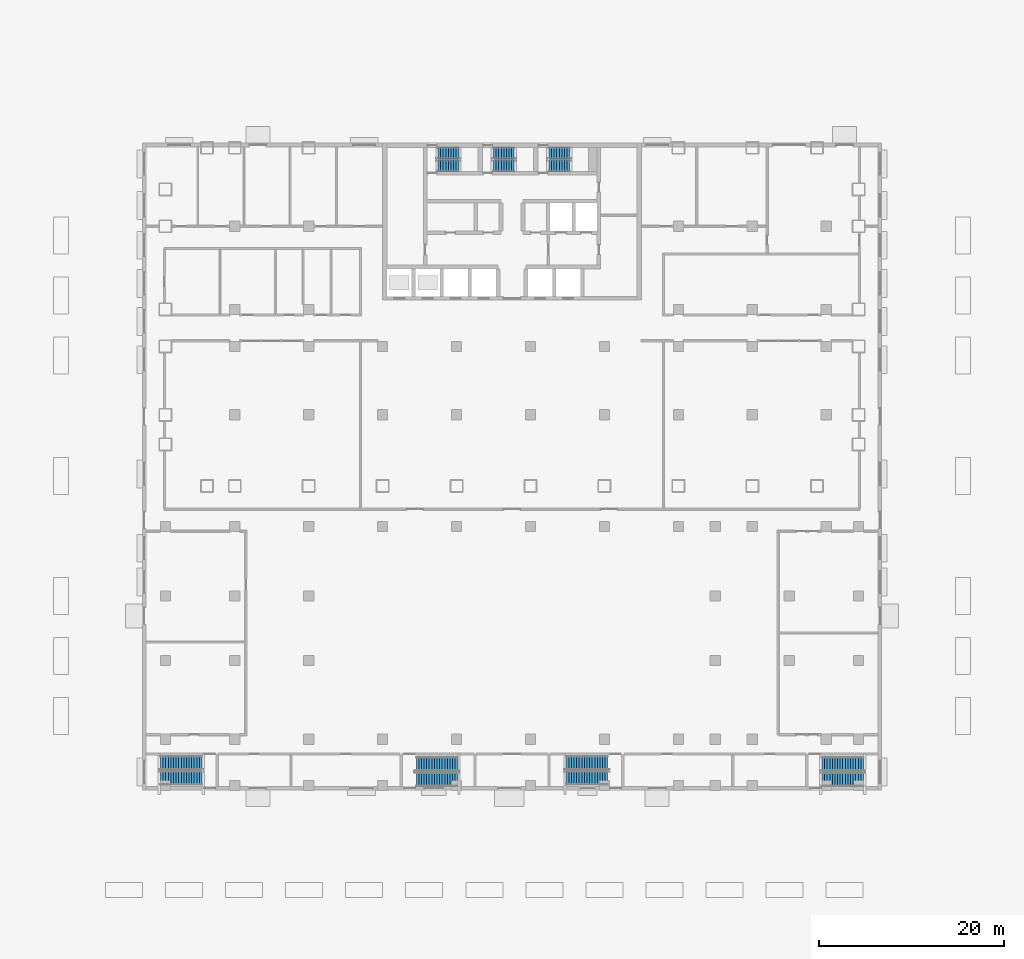
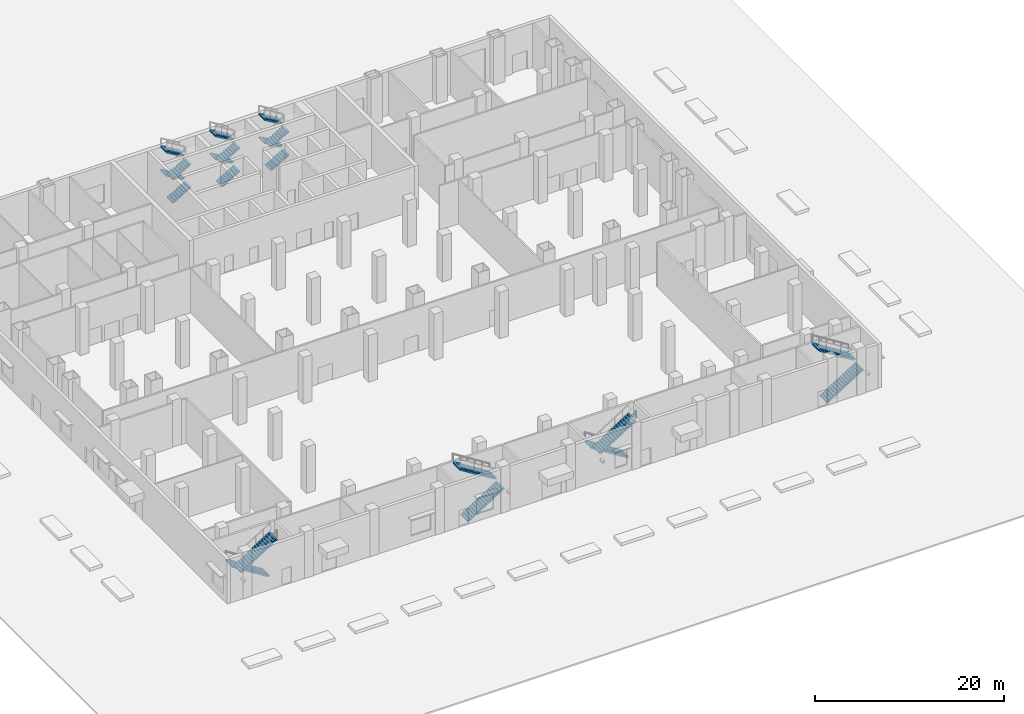
# One storey, part 10 of 18: 20 stair flights, 7 elements without a shape of their own.
"""IFC4 building model written with IfcOpenShell, lengths in metres."""

import ifcopenshell
import ifcopenshell.guid

model = None  # the IFC model being written
_history = None  # IfcOwnerHistory: only IFC2X3 demands one
_inside = {}  # id of a spatial element -> (the spatial element, [elements in it])
_under = {}  # id of a project, library or spatial element -> (it, [spatial elements below it])
_declared = {}  # id of a project -> (the project, [libraries it declares])
_typed = {}  # id of a type object -> (the type object, [elements of that type])
_made_of = {}  # id of a material, layer set ... -> (it, [elements and type objects made of it])


def new_model(schema):
    """Start an empty IFC model of exactly this schema.

    Asked for "IFC4X3", IfcOpenShell would pick the latest addendum, in which some entities
    have other attributes; the version numbers below select the first issue.
    IFC2X3 requires an IfcOwnerHistory on every rooted entity: one is made here for all.
    """
    global model, _history
    if schema == "IFC4X3":
        model = ifcopenshell.file(schema_version=(4, 3, 0, 0))
    else:
        model = ifcopenshell.file(schema=schema)
    _inside.clear()
    _under.clear()
    _declared.clear()
    _typed.clear()
    _made_of.clear()
    _history = None
    if model.schema == "IFC2X3":
        org = make("IfcOrganization", Name="unknown")
        user = make(
            "IfcPersonAndOrganization",
            ThePerson=make("IfcPerson", FamilyName="unknown"),
            TheOrganization=org,
        )
        app = make(
            "IfcApplication",
            ApplicationDeveloper=org,
            Version="unknown",
            ApplicationFullName="unknown",
            ApplicationIdentifier="unknown",
        )
        _history = make(
            "IfcOwnerHistory",
            OwningUser=user,
            OwningApplication=app,
            ChangeAction="ADDED",
            CreationDate=0,
        )
    return model


def make(cls, **values):
    """One entity of the class cls with the attributes given. An attribute that is None is left unset."""
    return model.create_entity(
        cls, **{name: value for name, value in values.items() if value is not None}
    )


def rooted(cls, **values):
    """An entity with a GlobalId (a new one), such as an element, a storey or a relation."""
    return make(cls, GlobalId=ifcopenshell.guid.new(), OwnerHistory=_history, **values)


def si_unit(unit_type, name, prefix=None):
    """IfcSIUnit, for example si_unit("LENGTHUNIT", "METRE", prefix="MILLI")."""
    return make("IfcSIUnit", UnitType=unit_type, Prefix=prefix, Name=name)


def assignment(units):
    """IfcUnitAssignment: the units of a project."""
    return None if units is None else make("IfcUnitAssignment", Units=units)


def point(xyz):
    """IfcCartesianPoint."""
    return None if xyz is None else make("IfcCartesianPoint", Coordinates=xyz)


def direction(xyz):
    """IfcDirection."""
    return None if xyz is None else make("IfcDirection", DirectionRatios=xyz)


def frame(location, z_axis=None, x_axis=None):
    """IfcAxis2Placement3D, a coordinate frame: its origin and axes. An axis left out is left unset."""
    return make(
        "IfcAxis2Placement3D",
        Location=point(location),
        Axis=direction(z_axis),
        RefDirection=direction(x_axis),
    )


def origin():
    """The frame at (0, 0, 0) with its axes left unset."""
    return frame((0.0, 0.0, 0.0))


def place(relative_to, where):
    """IfcLocalPlacement: puts the frame where relative to a parent placement (None: the world)."""
    return make(
        "IfcLocalPlacement", PlacementRelTo=relative_to, RelativePlacement=where
    )


def context(
    kind, dimensions, precision=None, world=None, true_north=None, identifier=None
):
    """IfcGeometricRepresentationContext, for example the 3D "Model" context."""
    return make(
        "IfcGeometricRepresentationContext",
        ContextIdentifier=identifier,
        ContextType=kind,
        CoordinateSpaceDimension=dimensions,
        Precision=precision,
        WorldCoordinateSystem=world,
        TrueNorth=true_north,
    )


def subcontext(parent, identifier, kind, view, scale=None):
    """IfcGeometricRepresentationSubContext, for example "Body" below "Model"."""
    return make(
        "IfcGeometricRepresentationSubContext",
        ContextIdentifier=identifier,
        ContextType=kind,
        ParentContext=parent,
        TargetScale=scale,
        TargetView=view,
    )


def project(units=None, contexts=None):
    """IfcProject with its units and contexts."""
    return rooted(
        "IfcProject",
        Name="project",
        RepresentationContexts=contexts,
        UnitsInContext=assignment(units),
    )


def spatial(cls, under=None, at=None, **own):
    """A site, building, storey or space (cls), placed at a placement, below another one or the project."""
    s = rooted(cls, ObjectPlacement=at, **own)
    if under is not None:
        _under.setdefault(under.id(), (under, []))[1].append(s)
    return s


def polyline(points):
    """IfcPolyline through the points."""
    return make("IfcPolyline", Points=[point(p) for p in points])


def outline(outer, holes=None, kind="AREA"):
    """IfcArbitraryClosedProfileDef: a profile drawn as a closed curve; with holes, ...WithVoids."""
    if holes is None:
        return make("IfcArbitraryClosedProfileDef", ProfileType=kind, OuterCurve=outer)
    return make(
        "IfcArbitraryProfileDefWithVoids",
        ProfileType=kind,
        OuterCurve=outer,
        InnerCurves=holes,
    )


def extrude(swept, where, along, depth):
    """IfcExtrudedAreaSolid: the profile swept, set in the frame where, extruded along a direction by depth."""
    return make(
        "IfcExtrudedAreaSolid",
        SweptArea=swept,
        Position=where,
        ExtrudedDirection=direction(along),
        Depth=depth,
    )


def shape(context_of_items, identifier, shape_type, items):
    """IfcShapeRepresentation: the items that make up one representation, for example the "Body"."""
    return make(
        "IfcShapeRepresentation",
        ContextOfItems=context_of_items,
        RepresentationIdentifier=identifier,
        RepresentationType=shape_type,
        Items=items,
    )


def material(Name=None, Category=None):
    """IfcMaterial."""
    return make("IfcMaterial", Name=Name, Category=Category)


def made_of(thing, what):
    """Note that an element or type object is made of a material, layer set ...; save() writes the relation."""
    if what is not None:
        _made_of.setdefault(what.id(), (what, []))[1].append(thing)
    return thing


def type_object(cls, material=None, **own):
    """A type object (cls), such as IfcWallType, which elements share."""
    return made_of(rooted(cls, **own), material)


def element(
    cls,
    number,
    at=None,
    inside=None,
    cuts=None,
    type_object=None,
    material=None,
    context=None,
    identifier="Body",
    shape_type=None,
    held_by="IfcProductDefinitionShape",
    body=None,
    shapes=None,
    **own,
):
    """One element of the class cls, such as IfcWall. Its Tag is "e" and its number.

    at: its placement. inside: the storey or other place that contains it. cuts: it is an
    opening in that element (IfcRelVoidsElement). A single representation is given by context,
    identifier, shape_type and body (its items); several are given by shapes. held_by: the class
    of the entity that holds the representations. save() writes the other relations.
    """
    e = rooted(cls, Tag="e%d" % number, ObjectPlacement=at, **own)
    if body is not None:
        shapes = [shape(context, identifier, shape_type, body)]
    if shapes is not None:
        e.Representation = make(held_by, Representations=shapes)
    if inside is not None:
        _inside.setdefault(inside.id(), (inside, []))[1].append(e)
    if cuts is not None:
        rooted(
            "IfcRelVoidsElement", RelatingBuildingElement=cuts, RelatedOpeningElement=e
        )
    if type_object is not None:
        _typed.setdefault(type_object.id(), (type_object, []))[1].append(e)
    return made_of(e, material)


def aggregate(whole, parts):
    """IfcRelAggregates: a whole, such as a stair, and the parts it consists of."""
    return rooted("IfcRelAggregates", RelatingObject=whole, RelatedObjects=parts)


def save(model, path):
    """Write the relations noted so far, then the file.

    IfcRelAggregates (storeys below a building ...), IfcRelContainedInSpatialStructure (elements
    in a storey), IfcRelDefinesByType, IfcRelAssociatesMaterial and IfcRelDeclares: one each for
    every whole, place, type object, material and project.
    """
    for whole, parts in _under.values():
        aggregate(whole, parts)
    for where, things in _inside.values():
        rooted(
            "IfcRelContainedInSpatialStructure",
            RelatedElements=things,
            RelatingStructure=where,
        )
    for kind, things in _typed.values():
        rooted("IfcRelDefinesByType", RelatedObjects=things, RelatingType=kind)
    for what, things in _made_of.values():
        rooted("IfcRelAssociatesMaterial", RelatedObjects=things, RelatingMaterial=what)
    for by, libraries in _declared.values():
        rooted("IfcRelDeclares", RelatingContext=by, RelatedDefinitions=libraries)
    model.write(path)


model = new_model("IFC4")

# Units and contexts
model_context = context("Model", 3, precision=1e-05, world=origin(), true_north=direction((0.0, 1.0)))
body_context = subcontext(model_context, "Body", "Model", "MODEL_VIEW")
ifc_project = project(units=[si_unit("LENGTHUNIT", "METRE"), si_unit("AREAUNIT", "SQUARE_METRE"), si_unit("VOLUMEUNIT", "CUBIC_METRE"), si_unit("PLANEANGLEUNIT", "RADIAN"), si_unit("MASSUNIT", "GRAM", prefix="KILO")], contexts=[model_context])

# Site, building, storey
site_placement = place(None, origin())
site = spatial("IfcSite", under=ifc_project, at=site_placement, CompositionType="ELEMENT")
building_placement = place(site_placement, origin())
building = spatial("IfcBuilding", under=site, at=building_placement, Name="Vidyagriha Tower", CompositionType="ELEMENT")
storey_placement = place(building_placement, origin())
storey = spatial("IfcBuildingStorey", under=building, at=storey_placement, Name="L00", CompositionType="ELEMENT", Elevation=0.0)

# Stair, stair flights
ifc_material_1 = material(Name="Concrete C40/50", Category="concrete")
stair_type_1 = type_object("IfcStairType", Name="Exit stair, half-turn, precast flights", PredefinedType="HALF_TURN_STAIR", material=ifc_material_1)
stair_1_placement = place(storey_placement, origin())
stair_1 = element("IfcStair", 1, at=stair_1_placement, inside=storey, type_object=stair_type_1, Name="L00 Exit Stair ST1", PredefinedType="HALF_TURN_STAIR")
ifc_material_2 = material(Name="Precast concrete C40/50", Category="concrete")
stair_flight_type_1 = type_object("IfcStairFlightType", Name="Exit stair flight 1200 mm, precast", PredefinedType="STRAIGHT", material=ifc_material_2)
stair_flight_1_placement = place(storey_placement, frame((-8.0, 17.550048828125, 0.0)))
stair_flight_1 = element("IfcStairFlight", 2, at=stair_flight_1_placement, type_object=stair_flight_type_1, Name="ST1 flight 1", NumberOfRisers=9, NumberOfTreads=8, PredefinedType="STRAIGHT", RiserHeight=0.166666667, TreadLength=0.28, context=body_context, shape_type="SweptSolid", body=[
    extrude(outline(polyline([(0.0, 0.0), (0.0, 0.166748046875), (0.280029296875, 0.166748046875), (0.280029296875, 0.333251953125), (0.56005859375, 0.333251953125), (0.56005859375, 0.5), (0.840087890625, 0.5), (0.840087890625, 0.666748046875), (1.1201171875, 0.666748046875), (1.1201171875, 0.833251953125), (1.39990234375, 0.833251953125), (1.39990234375, 1.0), (1.679931640625, 1.0), (1.679931640625, 1.166748046875), (1.9599609375, 1.166748046875), (1.9599609375, 1.333251953125), (2.239990234375, 1.333251953125), (2.239990234375, 1.5), (2.239990234375, 1.158935546875), (0.29296875, 0.0), (0.0, 0.0)])), frame((0.0, 0.60009765625, 0.0), z_axis=(0.0, -1.0, 0.0), x_axis=(1.0, 0.0, 0.0)), (0.0, 0.0, 1.0), 1.199951171875),
])
stair_flight_2_placement = place(storey_placement, frame((-5.760009765625, 18.89990234375, 1.5), z_axis=(0.0, 0.0, 1.0), x_axis=(-1.0, 0.0, 0.0)))
stair_flight_2 = element("IfcStairFlight", 3, at=stair_flight_2_placement, type_object=stair_flight_type_1, Name="ST1 flight 2", NumberOfRisers=9, NumberOfTreads=8, PredefinedType="STRAIGHT", RiserHeight=0.166666667, TreadLength=0.28, context=body_context, shape_type="SweptSolid", body=[
    extrude(outline(polyline([(0.0, 0.0), (0.0, 0.166748046875), (0.280029296875, 0.166748046875), (0.280029296875, 0.333251953125), (0.56005859375, 0.333251953125), (0.56005859375, 0.5), (0.840087890625, 0.5), (0.840087890625, 0.666748046875), (1.1201171875, 0.666748046875), (1.1201171875, 0.833251953125), (1.39990234375, 0.833251953125), (1.39990234375, 1.0), (1.679931640625, 1.0), (1.679931640625, 1.166748046875), (1.9599609375, 1.166748046875), (1.9599609375, 1.333251953125), (2.239990234375, 1.333251953125), (2.239990234375, 1.5), (2.239990234375, 1.158935546875), (0.29296875, 0.0), (0.0, 0.0)])), frame((0.0, 0.60009765625, 0.0), z_axis=(0.0, -1.0, 0.0), x_axis=(1.0, 0.0, 0.0)), (0.0, 0.0, 1.0), 1.199951171875),
])
stair_flight_3_placement = place(storey_placement, frame((-8.0, 17.550048828125, 3.0)))
stair_flight_3 = element("IfcStairFlight", 4, at=stair_flight_3_placement, type_object=stair_flight_type_1, Name="ST1 flight 3", NumberOfRisers=9, NumberOfTreads=8, PredefinedType="STRAIGHT", RiserHeight=0.166666667, TreadLength=0.28, context=body_context, shape_type="SweptSolid", body=[
    extrude(outline(polyline([(0.0, 0.0), (0.0, 0.166748046875), (0.280029296875, 0.166748046875), (0.280029296875, 0.333251953125), (0.56005859375, 0.333251953125), (0.56005859375, 0.5), (0.840087890625, 0.5), (0.840087890625, 0.666748046875), (1.1201171875, 0.666748046875), (1.1201171875, 0.833251953125), (1.39990234375, 0.833251953125), (1.39990234375, 1.0), (1.679931640625, 1.0), (1.679931640625, 1.166748046875), (1.9599609375, 1.166748046875), (1.9599609375, 1.333251953125), (2.239990234375, 1.333251953125), (2.239990234375, 1.5), (2.239990234375, 1.158935546875), (0.29296875, 0.0), (0.0, 0.0)])), frame((0.0, 0.60009765625, 0.0), z_axis=(0.0, -1.0, 0.0), x_axis=(1.0, 0.0, 0.0)), (0.0, 0.0, 1.0), 1.199951171875),
])
stair_flight_4_placement = place(storey_placement, frame((-5.760009765625, 18.89990234375, 4.5), z_axis=(0.0, 0.0, 1.0), x_axis=(-1.0, 0.0, 0.0)))
stair_flight_4 = element("IfcStairFlight", 5, at=stair_flight_4_placement, type_object=stair_flight_type_1, Name="ST1 flight 4", NumberOfRisers=9, NumberOfTreads=8, PredefinedType="STRAIGHT", RiserHeight=0.166666667, TreadLength=0.28, context=body_context, shape_type="SweptSolid", body=[
    extrude(outline(polyline([(0.0, 0.0), (0.0, 0.166748046875), (0.280029296875, 0.166748046875), (0.280029296875, 0.333251953125), (0.56005859375, 0.333251953125), (0.56005859375, 0.5), (0.840087890625, 0.5), (0.840087890625, 0.666748046875), (1.1201171875, 0.666748046875), (1.1201171875, 0.833251953125), (1.39990234375, 0.833251953125), (1.39990234375, 1.0), (1.679931640625, 1.0), (1.679931640625, 1.166748046875), (1.9599609375, 1.166748046875), (1.9599609375, 1.333251953125), (2.239990234375, 1.333251953125), (2.239990234375, 1.5), (2.239990234375, 1.158935546875), (0.29296875, 0.0), (0.0, 0.0)])), frame((0.0, 0.60009765625, 0.0), z_axis=(0.0, -1.0, 0.0), x_axis=(1.0, 0.0, 0.0)), (0.0, 0.0, 1.0), 1.199951171875),
])
aggregate(stair_1, [stair_flight_1, stair_flight_2, stair_flight_3, stair_flight_4])

stair_2_placement = place(storey_placement, origin())
stair_2 = element("IfcStair", 6, at=stair_2_placement, inside=storey, type_object=stair_type_1, Name="L00 Exit Stair ST2", PredefinedType="HALF_TURN_STAIR")
stair_flight_5_placement = place(storey_placement, frame((-2.0, 17.550048828125, 0.0)))
stair_flight_5 = element("IfcStairFlight", 7, at=stair_flight_5_placement, type_object=stair_flight_type_1, Name="ST2 flight 1", NumberOfRisers=9, NumberOfTreads=8, PredefinedType="STRAIGHT", RiserHeight=0.166666667, TreadLength=0.28, context=body_context, shape_type="SweptSolid", body=[
    extrude(outline(polyline([(0.0, 0.0), (0.0, 0.166748046875), (0.280029296875, 0.166748046875), (0.280029296875, 0.333251953125), (0.56005859375, 0.333251953125), (0.56005859375, 0.5), (0.840087890625, 0.5), (0.840087890625, 0.666748046875), (1.1201171875, 0.666748046875), (1.1201171875, 0.833251953125), (1.39990234375, 0.833251953125), (1.39990234375, 1.0), (1.679931640625, 1.0), (1.679931640625, 1.166748046875), (1.9599609375, 1.166748046875), (1.9599609375, 1.333251953125), (2.239990234375, 1.333251953125), (2.239990234375, 1.5), (2.239990234375, 1.158935546875), (0.29296875, 0.0), (0.0, 0.0)])), frame((0.0, 0.60009765625, 0.0), z_axis=(0.0, -1.0, 0.0), x_axis=(1.0, 0.0, 0.0)), (0.0, 0.0, 1.0), 1.199951171875),
])
stair_flight_6_placement = place(storey_placement, frame((0.239990234375, 18.89990234375, 1.5), z_axis=(0.0, 0.0, 1.0), x_axis=(-1.0, 0.0, 0.0)))
stair_flight_6 = element("IfcStairFlight", 8, at=stair_flight_6_placement, type_object=stair_flight_type_1, Name="ST2 flight 2", NumberOfRisers=9, NumberOfTreads=8, PredefinedType="STRAIGHT", RiserHeight=0.166666667, TreadLength=0.28, context=body_context, shape_type="SweptSolid", body=[
    extrude(outline(polyline([(0.0, 0.0), (0.0, 0.166748046875), (0.280029296875, 0.166748046875), (0.280029296875, 0.333251953125), (0.56005859375, 0.333251953125), (0.56005859375, 0.5), (0.840087890625, 0.5), (0.840087890625, 0.666748046875), (1.1201171875, 0.666748046875), (1.1201171875, 0.833251953125), (1.39990234375, 0.833251953125), (1.39990234375, 1.0), (1.679931640625, 1.0), (1.679931640625, 1.166748046875), (1.9599609375, 1.166748046875), (1.9599609375, 1.333251953125), (2.239990234375, 1.333251953125), (2.239990234375, 1.5), (2.239990234375, 1.158935546875), (0.29296875, 0.0), (0.0, 0.0)])), frame((0.0, 0.60009765625, 0.0), z_axis=(0.0, -1.0, 0.0), x_axis=(1.0, 0.0, 0.0)), (0.0, 0.0, 1.0), 1.199951171875),
])
stair_flight_7_placement = place(storey_placement, frame((-2.0, 17.550048828125, 3.0)))
stair_flight_7 = element("IfcStairFlight", 9, at=stair_flight_7_placement, type_object=stair_flight_type_1, Name="ST2 flight 3", NumberOfRisers=9, NumberOfTreads=8, PredefinedType="STRAIGHT", RiserHeight=0.166666667, TreadLength=0.28, context=body_context, shape_type="SweptSolid", body=[
    extrude(outline(polyline([(0.0, 0.0), (0.0, 0.166748046875), (0.280029296875, 0.166748046875), (0.280029296875, 0.333251953125), (0.56005859375, 0.333251953125), (0.56005859375, 0.5), (0.840087890625, 0.5), (0.840087890625, 0.666748046875), (1.1201171875, 0.666748046875), (1.1201171875, 0.833251953125), (1.39990234375, 0.833251953125), (1.39990234375, 1.0), (1.679931640625, 1.0), (1.679931640625, 1.166748046875), (1.9599609375, 1.166748046875), (1.9599609375, 1.333251953125), (2.239990234375, 1.333251953125), (2.239990234375, 1.5), (2.239990234375, 1.158935546875), (0.29296875, 0.0), (0.0, 0.0)])), frame((0.0, 0.60009765625, 0.0), z_axis=(0.0, -1.0, 0.0), x_axis=(1.0, 0.0, 0.0)), (0.0, 0.0, 1.0), 1.199951171875),
])
stair_flight_8_placement = place(storey_placement, frame((0.239990234375, 18.89990234375, 4.5), z_axis=(0.0, 0.0, 1.0), x_axis=(-1.0, 0.0, 0.0)))
stair_flight_8 = element("IfcStairFlight", 10, at=stair_flight_8_placement, type_object=stair_flight_type_1, Name="ST2 flight 4", NumberOfRisers=9, NumberOfTreads=8, PredefinedType="STRAIGHT", RiserHeight=0.166666667, TreadLength=0.28, context=body_context, shape_type="SweptSolid", body=[
    extrude(outline(polyline([(0.0, 0.0), (0.0, 0.166748046875), (0.280029296875, 0.166748046875), (0.280029296875, 0.333251953125), (0.56005859375, 0.333251953125), (0.56005859375, 0.5), (0.840087890625, 0.5), (0.840087890625, 0.666748046875), (1.1201171875, 0.666748046875), (1.1201171875, 0.833251953125), (1.39990234375, 0.833251953125), (1.39990234375, 1.0), (1.679931640625, 1.0), (1.679931640625, 1.166748046875), (1.9599609375, 1.166748046875), (1.9599609375, 1.333251953125), (2.239990234375, 1.333251953125), (2.239990234375, 1.5), (2.239990234375, 1.158935546875), (0.29296875, 0.0), (0.0, 0.0)])), frame((0.0, 0.60009765625, 0.0), z_axis=(0.0, -1.0, 0.0), x_axis=(1.0, 0.0, 0.0)), (0.0, 0.0, 1.0), 1.199951171875),
])
aggregate(stair_2, [stair_flight_5, stair_flight_6, stair_flight_7, stair_flight_8])

stair_3_placement = place(storey_placement, origin())
stair_3 = element("IfcStair", 11, at=stair_3_placement, inside=storey, type_object=stair_type_1, Name="L00 Exit Stair ST3", PredefinedType="HALF_TURN_STAIR")
stair_flight_9_placement = place(storey_placement, frame((4.0, 17.550048828125, 0.0)))
stair_flight_9 = element("IfcStairFlight", 12, at=stair_flight_9_placement, type_object=stair_flight_type_1, Name="ST3 flight 1", NumberOfRisers=9, NumberOfTreads=8, PredefinedType="STRAIGHT", RiserHeight=0.166666667, TreadLength=0.28, context=body_context, shape_type="SweptSolid", body=[
    extrude(outline(polyline([(0.0, 0.0), (0.0, 0.166748046875), (0.280029296875, 0.166748046875), (0.280029296875, 0.333251953125), (0.56005859375, 0.333251953125), (0.56005859375, 0.5), (0.840087890625, 0.5), (0.840087890625, 0.666748046875), (1.1201171875, 0.666748046875), (1.1201171875, 0.833251953125), (1.39990234375, 0.833251953125), (1.39990234375, 1.0), (1.679931640625, 1.0), (1.679931640625, 1.166748046875), (1.9599609375, 1.166748046875), (1.9599609375, 1.333251953125), (2.239990234375, 1.333251953125), (2.239990234375, 1.5), (2.239990234375, 1.158935546875), (0.29296875, 0.0), (0.0, 0.0)])), frame((0.0, 0.60009765625, 0.0), z_axis=(0.0, -1.0, 0.0), x_axis=(1.0, 0.0, 0.0)), (0.0, 0.0, 1.0), 1.199951171875),
])
stair_flight_10_placement = place(storey_placement, frame((6.239990234375, 18.89990234375, 1.5), z_axis=(0.0, 0.0, 1.0), x_axis=(-1.0, 0.0, 0.0)))
stair_flight_10 = element("IfcStairFlight", 13, at=stair_flight_10_placement, type_object=stair_flight_type_1, Name="ST3 flight 2", NumberOfRisers=9, NumberOfTreads=8, PredefinedType="STRAIGHT", RiserHeight=0.166666667, TreadLength=0.28, context=body_context, shape_type="SweptSolid", body=[
    extrude(outline(polyline([(0.0, 0.0), (0.0, 0.166748046875), (0.280029296875, 0.166748046875), (0.280029296875, 0.333251953125), (0.56005859375, 0.333251953125), (0.56005859375, 0.5), (0.840087890625, 0.5), (0.840087890625, 0.666748046875), (1.1201171875, 0.666748046875), (1.1201171875, 0.833251953125), (1.39990234375, 0.833251953125), (1.39990234375, 1.0), (1.679931640625, 1.0), (1.679931640625, 1.166748046875), (1.9599609375, 1.166748046875), (1.9599609375, 1.333251953125), (2.239990234375, 1.333251953125), (2.239990234375, 1.5), (2.239990234375, 1.158935546875), (0.29296875, 0.0), (0.0, 0.0)])), frame((0.0, 0.60009765625, 0.0), z_axis=(0.0, -1.0, 0.0), x_axis=(1.0, 0.0, 0.0)), (0.0, 0.0, 1.0), 1.199951171875),
])
stair_flight_11_placement = place(storey_placement, frame((4.0, 17.550048828125, 3.0)))
stair_flight_11 = element("IfcStairFlight", 14, at=stair_flight_11_placement, type_object=stair_flight_type_1, Name="ST3 flight 3", NumberOfRisers=9, NumberOfTreads=8, PredefinedType="STRAIGHT", RiserHeight=0.166666667, TreadLength=0.28, context=body_context, shape_type="SweptSolid", body=[
    extrude(outline(polyline([(0.0, 0.0), (0.0, 0.166748046875), (0.280029296875, 0.166748046875), (0.280029296875, 0.333251953125), (0.56005859375, 0.333251953125), (0.56005859375, 0.5), (0.840087890625, 0.5), (0.840087890625, 0.666748046875), (1.1201171875, 0.666748046875), (1.1201171875, 0.833251953125), (1.39990234375, 0.833251953125), (1.39990234375, 1.0), (1.679931640625, 1.0), (1.679931640625, 1.166748046875), (1.9599609375, 1.166748046875), (1.9599609375, 1.333251953125), (2.239990234375, 1.333251953125), (2.239990234375, 1.5), (2.239990234375, 1.158935546875), (0.29296875, 0.0), (0.0, 0.0)])), frame((0.0, 0.60009765625, 0.0), z_axis=(0.0, -1.0, 0.0), x_axis=(1.0, 0.0, 0.0)), (0.0, 0.0, 1.0), 1.199951171875),
])
stair_flight_12_placement = place(storey_placement, frame((6.239990234375, 18.89990234375, 4.5), z_axis=(0.0, 0.0, 1.0), x_axis=(-1.0, 0.0, 0.0)))
stair_flight_12 = element("IfcStairFlight", 15, at=stair_flight_12_placement, type_object=stair_flight_type_1, Name="ST3 flight 4", NumberOfRisers=9, NumberOfTreads=8, PredefinedType="STRAIGHT", RiserHeight=0.166666667, TreadLength=0.28, context=body_context, shape_type="SweptSolid", body=[
    extrude(outline(polyline([(0.0, 0.0), (0.0, 0.166748046875), (0.280029296875, 0.166748046875), (0.280029296875, 0.333251953125), (0.56005859375, 0.333251953125), (0.56005859375, 0.5), (0.840087890625, 0.5), (0.840087890625, 0.666748046875), (1.1201171875, 0.666748046875), (1.1201171875, 0.833251953125), (1.39990234375, 0.833251953125), (1.39990234375, 1.0), (1.679931640625, 1.0), (1.679931640625, 1.166748046875), (1.9599609375, 1.166748046875), (1.9599609375, 1.333251953125), (2.239990234375, 1.333251953125), (2.239990234375, 1.5), (2.239990234375, 1.158935546875), (0.29296875, 0.0), (0.0, 0.0)])), frame((0.0, 0.60009765625, 0.0), z_axis=(0.0, -1.0, 0.0), x_axis=(1.0, 0.0, 0.0)), (0.0, 0.0, 1.0), 1.199951171875),
])
aggregate(stair_3, [stair_flight_9, stair_flight_10, stair_flight_11, stair_flight_12])

ifc_material_3 = material(Name="Concrete C32/40", Category="concrete")
stair_type_2 = type_object("IfcStairType", Name="Podium Exit Stair 1500", PredefinedType="HALF_TURN_STAIR", material=ifc_material_3)
stair_4_placement = place(storey_placement, origin())
stair_4 = element("IfcStair", 16, at=stair_4_placement, inside=storey, type_object=stair_type_2, Name="L00 Exit Stair PS1", PredefinedType="HALF_TURN_STAIR")
ifc_material_4 = material(Name="Concrete C32/40", Category="concrete")
stair_flight_type_2 = type_object("IfcStairFlightType", Name="Podium Stair Flight 1500", PredefinedType="STRAIGHT", material=ifc_material_4)
stair_flight_13_placement = place(storey_placement, frame((-33.544921875, -47.050048828125, 0.0), z_axis=(0.0, 0.0, 1.0), x_axis=(-1.0, 0.0, 0.0)))
stair_flight_13 = element("IfcStairFlight", 17, at=stair_flight_13_placement, type_object=stair_flight_type_2, Name="PS1 flight 1", NumberOfRisers=17, NumberOfTreads=16, PredefinedType="STRAIGHT", RiserHeight=0.176470588, TreadLength=0.28, context=body_context, shape_type="SweptSolid", body=[
    extrude(outline(polyline([(0.0, 0.0), (0.0, 0.176513671875), (0.280029296875, 0.176513671875), (0.280029296875, 0.35302734375), (0.56005859375, 0.35302734375), (0.56005859375, 0.529296875), (0.840087890625, 0.529296875), (0.840087890625, 0.705810546875), (1.1201171875, 0.705810546875), (1.1201171875, 0.88232421875), (1.39990234375, 0.88232421875), (1.39990234375, 1.058837890625), (1.679931640625, 1.058837890625), (1.679931640625, 1.2353515625), (1.9599609375, 1.2353515625), (1.9599609375, 1.411865234375), (2.239990234375, 1.411865234375), (2.239990234375, 1.588134765625), (2.52001953125, 1.588134765625), (2.52001953125, 1.7646484375), (2.800048828125, 1.7646484375), (2.800048828125, 1.941162109375), (3.080078125, 1.941162109375), (3.080078125, 2.11767578125), (3.360107421875, 2.11767578125), (3.360107421875, 2.294189453125), (3.639892578125, 2.294189453125), (3.639892578125, 2.470703125), (3.919921875, 2.470703125), (3.919921875, 2.64697265625), (4.199951171875, 2.64697265625), (4.199951171875, 2.823486328125), (4.47998046875, 2.823486328125), (4.47998046875, 3.0), (4.47998046875, 2.646240234375), (0.28125, 0.0), (0.0, 0.0)])), frame((0.0, 0.75, 0.0), z_axis=(0.0, -1.0, 0.0), x_axis=(1.0, 0.0, 0.0)), (0.0, 0.0, 1.0), 1.5),
])
stair_flight_14_placement = place(storey_placement, frame((-38.02490234375, -48.699951171875, 3.0)))
stair_flight_14 = element("IfcStairFlight", 18, at=stair_flight_14_placement, type_object=stair_flight_type_2, Name="PS1 flight 2", NumberOfRisers=17, NumberOfTreads=16, PredefinedType="STRAIGHT", RiserHeight=0.176470588, TreadLength=0.28, context=body_context, shape_type="SweptSolid", body=[
    extrude(outline(polyline([(0.0, 0.0), (0.0, 0.176513671875), (0.280029296875, 0.176513671875), (0.280029296875, 0.35302734375), (0.56005859375, 0.35302734375), (0.56005859375, 0.529296875), (0.840087890625, 0.529296875), (0.840087890625, 0.705810546875), (1.1201171875, 0.705810546875), (1.1201171875, 0.88232421875), (1.39990234375, 0.88232421875), (1.39990234375, 1.058837890625), (1.679931640625, 1.058837890625), (1.679931640625, 1.2353515625), (1.9599609375, 1.2353515625), (1.9599609375, 1.411865234375), (2.239990234375, 1.411865234375), (2.239990234375, 1.588134765625), (2.52001953125, 1.588134765625), (2.52001953125, 1.7646484375), (2.800048828125, 1.7646484375), (2.800048828125, 1.941162109375), (3.080078125, 1.941162109375), (3.080078125, 2.11767578125), (3.360107421875, 2.11767578125), (3.360107421875, 2.294189453125), (3.639892578125, 2.294189453125), (3.639892578125, 2.470703125), (3.919921875, 2.470703125), (3.919921875, 2.64697265625), (4.199951171875, 2.64697265625), (4.199951171875, 2.823486328125), (4.47998046875, 2.823486328125), (4.47998046875, 3.0), (4.47998046875, 2.646240234375), (0.28125, 0.0), (0.0, 0.0)])), frame((0.0, 0.75, 0.0), z_axis=(0.0, -1.0, 0.0), x_axis=(1.0, 0.0, 0.0)), (0.0, 0.0, 1.0), 1.5),
])
aggregate(stair_4, [stair_flight_13, stair_flight_14])

stair_5_placement = place(storey_placement, origin())
stair_5 = element("IfcStair", 19, at=stair_5_placement, inside=storey, type_object=stair_type_2, Name="L00 Exit Stair PS2", PredefinedType="HALF_TURN_STAIR")
stair_flight_15_placement = place(storey_placement, frame((33.544921875, -48.85009765625, 0.0)))
stair_flight_15 = element("IfcStairFlight", 20, at=stair_flight_15_placement, type_object=stair_flight_type_2, Name="PS2 flight 1", NumberOfRisers=17, NumberOfTreads=16, PredefinedType="STRAIGHT", RiserHeight=0.176470588, TreadLength=0.28, context=body_context, shape_type="SweptSolid", body=[
    extrude(outline(polyline([(0.0, 0.0), (0.0, 0.176513671875), (0.280029296875, 0.176513671875), (0.280029296875, 0.35302734375), (0.56005859375, 0.35302734375), (0.56005859375, 0.529296875), (0.840087890625, 0.529296875), (0.840087890625, 0.705810546875), (1.1201171875, 0.705810546875), (1.1201171875, 0.88232421875), (1.39990234375, 0.88232421875), (1.39990234375, 1.058837890625), (1.679931640625, 1.058837890625), (1.679931640625, 1.2353515625), (1.9599609375, 1.2353515625), (1.9599609375, 1.411865234375), (2.239990234375, 1.411865234375), (2.239990234375, 1.588134765625), (2.52001953125, 1.588134765625), (2.52001953125, 1.7646484375), (2.800048828125, 1.7646484375), (2.800048828125, 1.941162109375), (3.080078125, 1.941162109375), (3.080078125, 2.11767578125), (3.360107421875, 2.11767578125), (3.360107421875, 2.294189453125), (3.639892578125, 2.294189453125), (3.639892578125, 2.470703125), (3.919921875, 2.470703125), (3.919921875, 2.64697265625), (4.199951171875, 2.64697265625), (4.199951171875, 2.823486328125), (4.47998046875, 2.823486328125), (4.47998046875, 3.0), (4.47998046875, 2.646240234375), (0.28125, 0.0), (0.0, 0.0)])), frame((0.0, 0.75, 0.0), z_axis=(0.0, -1.0, 0.0), x_axis=(1.0, 0.0, 0.0)), (0.0, 0.0, 1.0), 1.5),
])
stair_flight_16_placement = place(storey_placement, frame((38.02490234375, -47.199951171875, 3.0), z_axis=(0.0, 0.0, 1.0), x_axis=(-1.0, 0.0, 0.0)))
stair_flight_16 = element("IfcStairFlight", 21, at=stair_flight_16_placement, type_object=stair_flight_type_2, Name="PS2 flight 2", NumberOfRisers=17, NumberOfTreads=16, PredefinedType="STRAIGHT", RiserHeight=0.176470588, TreadLength=0.28, context=body_context, shape_type="SweptSolid", body=[
    extrude(outline(polyline([(0.0, 0.0), (0.0, 0.176513671875), (0.280029296875, 0.176513671875), (0.280029296875, 0.35302734375), (0.56005859375, 0.35302734375), (0.56005859375, 0.529296875), (0.840087890625, 0.529296875), (0.840087890625, 0.705810546875), (1.1201171875, 0.705810546875), (1.1201171875, 0.88232421875), (1.39990234375, 0.88232421875), (1.39990234375, 1.058837890625), (1.679931640625, 1.058837890625), (1.679931640625, 1.2353515625), (1.9599609375, 1.2353515625), (1.9599609375, 1.411865234375), (2.239990234375, 1.411865234375), (2.239990234375, 1.588134765625), (2.52001953125, 1.588134765625), (2.52001953125, 1.7646484375), (2.800048828125, 1.7646484375), (2.800048828125, 1.941162109375), (3.080078125, 1.941162109375), (3.080078125, 2.11767578125), (3.360107421875, 2.11767578125), (3.360107421875, 2.294189453125), (3.639892578125, 2.294189453125), (3.639892578125, 2.470703125), (3.919921875, 2.470703125), (3.919921875, 2.64697265625), (4.199951171875, 2.64697265625), (4.199951171875, 2.823486328125), (4.47998046875, 2.823486328125), (4.47998046875, 3.0), (4.47998046875, 2.646240234375), (0.28125, 0.0), (0.0, 0.0)])), frame((0.0, 0.75, 0.0), z_axis=(0.0, -1.0, 0.0), x_axis=(1.0, 0.0, 0.0)), (0.0, 0.0, 1.0), 1.5),
])
aggregate(stair_5, [stair_flight_15, stair_flight_16])

stair_6_placement = place(storey_placement, origin())
stair_6 = element("IfcStair", 22, at=stair_6_placement, inside=storey, type_object=stair_type_2, Name="L00 Exit Stair PS3", PredefinedType="HALF_TURN_STAIR")
stair_flight_17_placement = place(storey_placement, frame((-10.35498046875, -48.85009765625, 0.0)))
stair_flight_17 = element("IfcStairFlight", 23, at=stair_flight_17_placement, type_object=stair_flight_type_2, Name="PS3 flight 1", NumberOfRisers=17, NumberOfTreads=16, PredefinedType="STRAIGHT", RiserHeight=0.176470588, TreadLength=0.28, context=body_context, shape_type="SweptSolid", body=[
    extrude(outline(polyline([(0.0, 0.0), (0.0, 0.176513671875), (0.280029296875, 0.176513671875), (0.280029296875, 0.35302734375), (0.56005859375, 0.35302734375), (0.56005859375, 0.529296875), (0.840087890625, 0.529296875), (0.840087890625, 0.705810546875), (1.1201171875, 0.705810546875), (1.1201171875, 0.88232421875), (1.39990234375, 0.88232421875), (1.39990234375, 1.058837890625), (1.679931640625, 1.058837890625), (1.679931640625, 1.2353515625), (1.9599609375, 1.2353515625), (1.9599609375, 1.411865234375), (2.239990234375, 1.411865234375), (2.239990234375, 1.588134765625), (2.52001953125, 1.588134765625), (2.52001953125, 1.7646484375), (2.800048828125, 1.7646484375), (2.800048828125, 1.941162109375), (3.080078125, 1.941162109375), (3.080078125, 2.11767578125), (3.360107421875, 2.11767578125), (3.360107421875, 2.294189453125), (3.639892578125, 2.294189453125), (3.639892578125, 2.470703125), (3.919921875, 2.470703125), (3.919921875, 2.64697265625), (4.199951171875, 2.64697265625), (4.199951171875, 2.823486328125), (4.47998046875, 2.823486328125), (4.47998046875, 3.0), (4.47998046875, 2.646240234375), (0.28125, 0.0), (0.0, 0.0)])), frame((0.0, 0.75, 0.0), z_axis=(0.0, -1.0, 0.0), x_axis=(1.0, 0.0, 0.0)), (0.0, 0.0, 1.0), 1.5),
])
stair_flight_18_placement = place(storey_placement, frame((-5.875, -47.199951171875, 3.0), z_axis=(0.0, 0.0, 1.0), x_axis=(-1.0, 0.0, 0.0)))
stair_flight_18 = element("IfcStairFlight", 24, at=stair_flight_18_placement, type_object=stair_flight_type_2, Name="PS3 flight 2", NumberOfRisers=17, NumberOfTreads=16, PredefinedType="STRAIGHT", RiserHeight=0.176470588, TreadLength=0.28, context=body_context, shape_type="SweptSolid", body=[
    extrude(outline(polyline([(0.0, 0.0), (0.0, 0.176513671875), (0.280029296875, 0.176513671875), (0.280029296875, 0.35302734375), (0.56005859375, 0.35302734375), (0.56005859375, 0.529296875), (0.840087890625, 0.529296875), (0.840087890625, 0.705810546875), (1.1201171875, 0.705810546875), (1.1201171875, 0.88232421875), (1.39990234375, 0.88232421875), (1.39990234375, 1.058837890625), (1.679931640625, 1.058837890625), (1.679931640625, 1.2353515625), (1.9599609375, 1.2353515625), (1.9599609375, 1.411865234375), (2.239990234375, 1.411865234375), (2.239990234375, 1.588134765625), (2.52001953125, 1.588134765625), (2.52001953125, 1.7646484375), (2.800048828125, 1.7646484375), (2.800048828125, 1.941162109375), (3.080078125, 1.941162109375), (3.080078125, 2.11767578125), (3.360107421875, 2.11767578125), (3.360107421875, 2.294189453125), (3.639892578125, 2.294189453125), (3.639892578125, 2.470703125), (3.919921875, 2.470703125), (3.919921875, 2.64697265625), (4.199951171875, 2.64697265625), (4.199951171875, 2.823486328125), (4.47998046875, 2.823486328125), (4.47998046875, 3.0), (4.47998046875, 2.646240234375), (0.28125, 0.0), (0.0, 0.0)])), frame((0.0, 0.75, 0.0), z_axis=(0.0, -1.0, 0.0), x_axis=(1.0, 0.0, 0.0)), (0.0, 0.0, 1.0), 1.5),
])
aggregate(stair_6, [stair_flight_17, stair_flight_18])

stair_7_placement = place(storey_placement, origin())
stair_7 = element("IfcStair", 25, at=stair_7_placement, inside=storey, type_object=stair_type_2, Name="L00 Exit Stair PS4", PredefinedType="HALF_TURN_STAIR")
stair_flight_19_placement = place(storey_placement, frame((10.35498046875, -47.050048828125, 0.0), z_axis=(0.0, 0.0, 1.0), x_axis=(-1.0, 0.0, 0.0)))
stair_flight_19 = element("IfcStairFlight", 26, at=stair_flight_19_placement, type_object=stair_flight_type_2, Name="PS4 flight 1", NumberOfRisers=17, NumberOfTreads=16, PredefinedType="STRAIGHT", RiserHeight=0.176470588, TreadLength=0.28, context=body_context, shape_type="SweptSolid", body=[
    extrude(outline(polyline([(0.0, 0.0), (0.0, 0.176513671875), (0.280029296875, 0.176513671875), (0.280029296875, 0.35302734375), (0.56005859375, 0.35302734375), (0.56005859375, 0.529296875), (0.840087890625, 0.529296875), (0.840087890625, 0.705810546875), (1.1201171875, 0.705810546875), (1.1201171875, 0.88232421875), (1.39990234375, 0.88232421875), (1.39990234375, 1.058837890625), (1.679931640625, 1.058837890625), (1.679931640625, 1.2353515625), (1.9599609375, 1.2353515625), (1.9599609375, 1.411865234375), (2.239990234375, 1.411865234375), (2.239990234375, 1.588134765625), (2.52001953125, 1.588134765625), (2.52001953125, 1.7646484375), (2.800048828125, 1.7646484375), (2.800048828125, 1.941162109375), (3.080078125, 1.941162109375), (3.080078125, 2.11767578125), (3.360107421875, 2.11767578125), (3.360107421875, 2.294189453125), (3.639892578125, 2.294189453125), (3.639892578125, 2.470703125), (3.919921875, 2.470703125), (3.919921875, 2.64697265625), (4.199951171875, 2.64697265625), (4.199951171875, 2.823486328125), (4.47998046875, 2.823486328125), (4.47998046875, 3.0), (4.47998046875, 2.646240234375), (0.28125, 0.0), (0.0, 0.0)])), frame((0.0, 0.75, 0.0), z_axis=(0.0, -1.0, 0.0), x_axis=(1.0, 0.0, 0.0)), (0.0, 0.0, 1.0), 1.5),
])
stair_flight_20_placement = place(storey_placement, frame((5.875, -48.699951171875, 3.0)))
stair_flight_20 = element("IfcStairFlight", 27, at=stair_flight_20_placement, type_object=stair_flight_type_2, Name="PS4 flight 2", NumberOfRisers=17, NumberOfTreads=16, PredefinedType="STRAIGHT", RiserHeight=0.176470588, TreadLength=0.28, context=body_context, shape_type="SweptSolid", body=[
    extrude(outline(polyline([(0.0, 0.0), (0.0, 0.176513671875), (0.280029296875, 0.176513671875), (0.280029296875, 0.35302734375), (0.56005859375, 0.35302734375), (0.56005859375, 0.529296875), (0.840087890625, 0.529296875), (0.840087890625, 0.705810546875), (1.1201171875, 0.705810546875), (1.1201171875, 0.88232421875), (1.39990234375, 0.88232421875), (1.39990234375, 1.058837890625), (1.679931640625, 1.058837890625), (1.679931640625, 1.2353515625), (1.9599609375, 1.2353515625), (1.9599609375, 1.411865234375), (2.239990234375, 1.411865234375), (2.239990234375, 1.588134765625), (2.52001953125, 1.588134765625), (2.52001953125, 1.7646484375), (2.800048828125, 1.7646484375), (2.800048828125, 1.941162109375), (3.080078125, 1.941162109375), (3.080078125, 2.11767578125), (3.360107421875, 2.11767578125), (3.360107421875, 2.294189453125), (3.639892578125, 2.294189453125), (3.639892578125, 2.470703125), (3.919921875, 2.470703125), (3.919921875, 2.64697265625), (4.199951171875, 2.64697265625), (4.199951171875, 2.823486328125), (4.47998046875, 2.823486328125), (4.47998046875, 3.0), (4.47998046875, 2.646240234375), (0.28125, 0.0), (0.0, 0.0)])), frame((0.0, 0.75, 0.0), z_axis=(0.0, -1.0, 0.0), x_axis=(1.0, 0.0, 0.0)), (0.0, 0.0, 1.0), 1.5),
])
aggregate(stair_7, [stair_flight_19, stair_flight_20])

save(model, "model.ifc")
